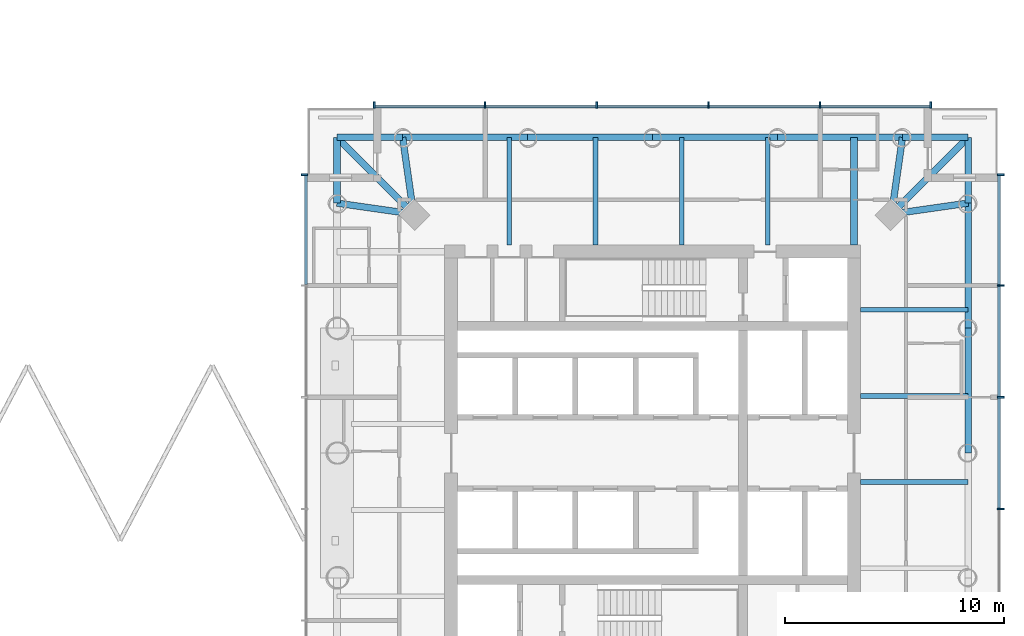
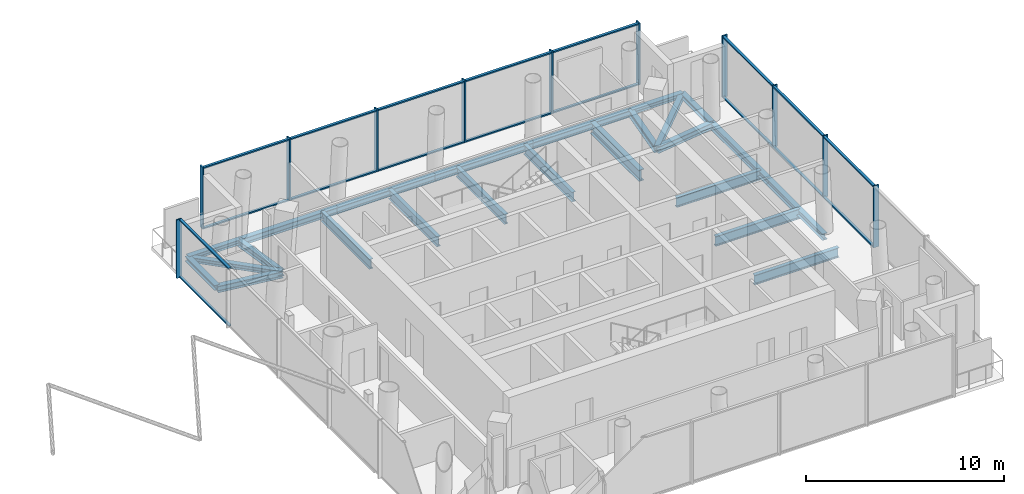
# One storey, part 6 of 19: 29 members, 24 beams, 3 elements without a shape of their own.
"""IFC4 building model written with IfcOpenShell, lengths in metres."""

from ifc_helpers import new_model, si_unit, direction, frame, origin, origin_2d, place, context, subcontext, project, spatial, rectangle, i_section, extrude, material, material_profile, profile_set, type_object, element, aggregate, save


model = new_model("IFC4")

# Units and contexts
model_context = context("Model", 3, precision=1e-05, world=origin(), true_north=direction((0.0, 1.0)))
body_context = subcontext(model_context, "Body", "Model", "MODEL_VIEW")
ifc_project = project(units=[si_unit("LENGTHUNIT", "METRE"), si_unit("AREAUNIT", "SQUARE_METRE"), si_unit("VOLUMEUNIT", "CUBIC_METRE"), si_unit("PLANEANGLEUNIT", "RADIAN"), si_unit("MASSUNIT", "GRAM", prefix="KILO")], contexts=[model_context])

# Site, building, storey
site_placement = place(None, origin())
site = spatial("IfcSite", under=ifc_project, at=site_placement, CompositionType="ELEMENT")
building_placement = place(site_placement, origin())
building = spatial("IfcBuilding", under=site, at=building_placement, Name="Ostroluk Exchange", CompositionType="ELEMENT")
storey_placement = place(building_placement, frame((0.0, 0.0, 127.39990234375)))
storey = spatial("IfcBuildingStorey", under=building, at=storey_placement, Name="L32", CompositionType="ELEMENT", Elevation=127.39990234375)

# Beams
ifc_material_1 = material(Name="Steel S355", Category="steel")
ifc_material_profile_1 = material_profile(ifc_material_1, i_section(OverallWidth=0.300048828125, OverallDepth=0.300048828125, WebThickness=0.010986328125, FlangeThickness=0.01904296875, FilletRadius=0.027099609375, at=origin_2d()), Name="HEB 300")
ifc_profile_set_1 = profile_set([ifc_material_profile_1], Name="Steel S355")
beam_type_1 = type_object("IfcBeamType", Name="Balcony beam HEB 300", PredefinedType="BEAM", material=ifc_profile_set_1)
for number, where, z_axis, x_axis, name in (
    (1, (131.413818359375, 57.413818359375, -0.349853515625), (0.0, 1.0, 0.0), (-1.0, 0.0, 0.0), "T2 east balcony beam a"),
    (2, (128.413818359375, 60.413818359375, -0.349853515625), (1.0, 0.0, 0.0), (0.0, 1.0, 0.0), "T2 east balcony beam b"),
):
    element("IfcBeam", number, at=place(storey_placement, frame(where, z_axis=z_axis, x_axis=x_axis)), inside=storey, type_object=beam_type_1, Name=name, PredefinedType="BEAM", context=body_context, shape_type="SweptSolid", body=[
        extrude(i_section(OverallWidth=0.300048828125, OverallDepth=0.300048828125, WebThickness=0.010986328125, FlangeThickness=0.01904296875, FilletRadius=0.027099609375, at=origin_2d()), origin(), (0.0, 0.0, 1.0), 3.0),
    ])
beam_1_placement = place(storey_placement, frame((127.913818359375, 56.913818359375, -0.349853515625), z_axis=(0.707106781187, 0.707106781187, 0.0), x_axis=(-0.707106781187, 0.707106781187, 0.0)))
element("IfcBeam", 3, at=beam_1_placement, inside=storey, type_object=beam_type_1, Name="T2 east balcony beam c", PredefinedType="BEAM", context=body_context, shape_type="SweptSolid", body=[
    extrude(i_section(OverallWidth=0.300048828125, OverallDepth=0.300048828125, WebThickness=0.010986328125, FlangeThickness=0.01904296875, FilletRadius=0.027099609375, at=origin_2d()), origin(), (0.0, 0.0, 1.0), 4.94970703125),
])
for number, where, z_axis, x_axis, name in (
    (4, (105.586181640625, 60.413818359375, -0.349853515625), (-1.0, 0.0, 0.0), (0.0, -1.0, 0.0), "T2 north balcony beam a"),
    (5, (102.586181640625, 57.413818359375, -0.349853515625), (0.0, 1.0, 0.0), (-1.0, 0.0, 0.0), "T2 north balcony beam b"),
):
    element("IfcBeam", number, at=place(storey_placement, frame(where, z_axis=z_axis, x_axis=x_axis)), inside=storey, type_object=beam_type_1, Name=name, PredefinedType="BEAM", context=body_context, shape_type="SweptSolid", body=[
        extrude(i_section(OverallWidth=0.300048828125, OverallDepth=0.300048828125, WebThickness=0.010986328125, FlangeThickness=0.01904296875, FilletRadius=0.027099609375, at=origin_2d()), origin(), (0.0, 0.0, 1.0), 3.0),
    ])
beam_2_placement = place(storey_placement, frame((106.086181640625, 56.913818359375, -0.349853515625), z_axis=(-0.707106781187, 0.707106781187, 0.0), x_axis=(-0.707106781187, -0.707106781187, 0.0)))
element("IfcBeam", 6, at=beam_2_placement, inside=storey, type_object=beam_type_1, Name="T2 north balcony beam c", PredefinedType="BEAM", context=body_context, shape_type="SweptSolid", body=[
    extrude(i_section(OverallWidth=0.300048828125, OverallDepth=0.300048828125, WebThickness=0.010986328125, FlangeThickness=0.01904296875, FilletRadius=0.027099609375, at=origin_2d()), origin(), (0.0, 0.0, 1.0), 4.94970703125),
])
ifc_material_2 = material(Name="Steel S355", Category="steel")
ifc_material_profile_2 = material_profile(ifc_material_2, i_section(OverallWidth=0.300048828125, OverallDepth=0.39990234375, WebThickness=0.013427734375, FlangeThickness=0.02392578125, FilletRadius=0.027099609375, at=origin_2d()), Name="HEB 400")
ifc_profile_set_2 = profile_set([ifc_material_profile_2], Name="Steel S355")
beam_type_2 = type_object("IfcBeamType", Name="Corner edge beam HEB 400", PredefinedType="SPANDREL", material=ifc_profile_set_2)
for number, where, z_axis, x_axis, name in (
    (7, (127.913818359375, 56.913818359375, -0.39990234375), (0.989949493661, 0.141421356237, 0.0), (-0.141421356237, 0.989949493661, 0.0), "T2 east corner edge beam a"),
    (8, (127.913818359375, 56.913818359375, -0.39990234375), (0.141421356237, 0.989949493661, 0.0), (-0.989949493661, 0.141421356237, 0.0), "T2 east corner edge beam b"),
    (9, (106.086181640625, 56.913818359375, -0.39990234375), (-0.141421356237, 0.989949493661, 0.0), (-0.989949493661, -0.141421356237, 0.0), "T2 north corner edge beam a"),
    (10, (106.086181640625, 56.913818359375, -0.39990234375), (-0.989949493661, 0.141421356237, 0.0), (-0.141421356237, -0.989949493661, 0.0), "T2 north corner edge beam b"),
):
    element("IfcBeam", number, at=place(storey_placement, frame(where, z_axis=z_axis, x_axis=x_axis)), inside=storey, type_object=beam_type_2, Name=name, PredefinedType="SPANDREL", context=body_context, shape_type="SweptSolid", body=[
        extrude(i_section(OverallWidth=0.300048828125, OverallDepth=0.39990234375, WebThickness=0.013427734375, FlangeThickness=0.02392578125, FilletRadius=0.027099609375, at=origin_2d()), origin(), (0.0, 0.0, 1.0), 3.53564453125),
    ])
ifc_material_3 = material(Name="Steel S355", Category="steel")
ifc_material_profile_3 = material_profile(ifc_material_3, i_section(OverallWidth=0.219970703125, OverallDepth=0.60009765625, WebThickness=0.011962890625, FlangeThickness=0.01904296875, FilletRadius=0.02392578125, at=origin_2d()), Name="IPE 600")
ifc_profile_set_3 = profile_set([ifc_material_profile_3], Name="Steel S355")
beam_type_3 = type_object("IfcBeamType", Name="Floor beam IPE 600", PredefinedType="BEAM", material=ifc_profile_set_3)
for number, where, z_axis, x_axis, name in (
    (11, (126.5, 44.671142578125, -0.5), (1.0, 0.0, 0.0), (0.0, 1.0, 0.0), "T2 east floor beam 2"),
    (12, (126.5, 48.60693359375, -0.5), (1.0, 0.0, 0.0), (0.0, 1.0, 0.0), "T2 east floor beam 3"),
    (13, (126.5, 52.54248046875, -0.5), (1.0, 0.0, 0.0), (0.0, 1.0, 0.0), "T2 east floor beam 4"),
    (14, (122.264404296875, 55.5, -0.5), (0.0, 1.0, 0.0), (-1.0, 0.0, 0.0), "T2 north floor beam 1"),
    (15, (118.328857421875, 55.5, -0.5), (0.0, 1.0, 0.0), (-1.0, 0.0, 0.0), "T2 north floor beam 2"),
    (16, (114.39306640625, 55.5, -0.5), (0.0, 1.0, 0.0), (-1.0, 0.0, 0.0), "T2 north floor beam 3"),
    (17, (110.45751953125, 55.5, -0.5), (0.0, 1.0, 0.0), (-1.0, 0.0, 0.0), "T2 north floor beam 4"),
):
    element("IfcBeam", number, at=place(storey_placement, frame(where, z_axis=z_axis, x_axis=x_axis)), inside=storey, type_object=beam_type_3, Name=name, PredefinedType="BEAM", context=body_context, shape_type="SweptSolid", body=[
        extrude(i_section(OverallWidth=0.219970703125, OverallDepth=0.60009765625, WebThickness=0.011962890625, FlangeThickness=0.01904296875, FilletRadius=0.02392578125, at=origin_2d()), origin(), (0.0, 0.0, 1.0), 4.913818359375),
    ])
ifc_material_4 = material(Name="Steel S355", Category="steel")
ifc_material_profile_4 = material_profile(ifc_material_4, i_section(OverallWidth=0.300048828125, OverallDepth=0.699951171875, WebThickness=0.01708984375, FlangeThickness=0.031982421875, FilletRadius=0.027099609375, at=origin_2d()), Name="HEB 700")
ifc_profile_set_4 = profile_set([ifc_material_profile_4], Name="Steel S355")
beam_type_4 = type_object("IfcBeamType", Name="Girder HEB 700", PredefinedType="BEAM", material=ifc_profile_set_4)
beam_3_placement = place(storey_placement, frame((126.199951171875, 55.5, -0.5498046875), z_axis=(0.0, 1.0, 0.0), x_axis=(-1.0, 0.0, 0.0)))
element("IfcBeam", 18, at=beam_3_placement, inside=storey, type_object=beam_type_4, Name="T2 east girder", PredefinedType="BEAM", context=body_context, shape_type="SweptSolid", body=[
    extrude(i_section(OverallWidth=0.300048828125, OverallDepth=0.699951171875, WebThickness=0.01708984375, FlangeThickness=0.031982421875, FilletRadius=0.027099609375, at=origin_2d()), origin(), (0.0, 0.0, 1.0), 4.913818359375),
])
ifc_material_5 = material(Name="Steel S355", Category="steel")
ifc_material_profile_5 = material_profile(ifc_material_5, i_section(OverallWidth=0.300048828125, OverallDepth=0.39990234375, WebThickness=0.013427734375, FlangeThickness=0.02392578125, FilletRadius=0.027099609375, at=origin_2d()), Name="HEB 400")
ifc_profile_set_5 = profile_set([ifc_material_profile_5], Name="Steel S355")
beam_type_5 = type_object("IfcBeamType", Name="Moment-connected edge beam HEB 400", PredefinedType="SPANDREL", material=ifc_profile_set_5)
beam_4_placement = place(storey_placement, frame((131.413818359375, 46.0, -0.39990234375), z_axis=(0.0, 1.0, 0.0), x_axis=(-1.0, 0.0, 0.0)))
element("IfcBeam", 19, at=beam_4_placement, inside=storey, type_object=beam_type_5, Name="T2 east edge beam 3", PredefinedType="SPANDREL", context=body_context, shape_type="SweptSolid", body=[
    extrude(i_section(OverallWidth=0.300048828125, OverallDepth=0.39990234375, WebThickness=0.013427734375, FlangeThickness=0.02392578125, FilletRadius=0.027099609375, at=origin_2d()), origin(), (0.0, 0.0, 1.0), 5.706787109375),
])
for number, where, z_axis, x_axis, name in (
    (20, (131.413818359375, 51.706787109375, -0.39990234375), (0.0, 1.0, 0.0), (-1.0, 0.0, 0.0), "T2 east edge beam 4"),
    (21, (128.413818359375, 60.413818359375, -0.39990234375), (-1.0, 0.0, 0.0), (0.0, -1.0, 0.0), "T2 north edge beam 1"),
):
    element("IfcBeam", number, at=place(storey_placement, frame(where, z_axis=z_axis, x_axis=x_axis)), inside=storey, type_object=beam_type_5, Name=name, PredefinedType="SPANDREL", context=body_context, shape_type="SweptSolid", body=[
        extrude(i_section(OverallWidth=0.300048828125, OverallDepth=0.39990234375, WebThickness=0.013427734375, FlangeThickness=0.02392578125, FilletRadius=0.027099609375, at=origin_2d()), origin(), (0.0, 0.0, 1.0), 5.70703125),
    ])
for number, where, z_axis, x_axis, name in (
    (22, (122.706787109375, 60.413818359375, -0.39990234375), (-1.0, 0.0, 0.0), (0.0, -1.0, 0.0), "T2 north edge beam 2"),
    (23, (117.0, 60.413818359375, -0.39990234375), (-1.0, 0.0, 0.0), (0.0, -1.0, 0.0), "T2 north edge beam 3"),
):
    element("IfcBeam", number, at=place(storey_placement, frame(where, z_axis=z_axis, x_axis=x_axis)), inside=storey, type_object=beam_type_5, Name=name, PredefinedType="SPANDREL", context=body_context, shape_type="SweptSolid", body=[
        extrude(i_section(OverallWidth=0.300048828125, OverallDepth=0.39990234375, WebThickness=0.013427734375, FlangeThickness=0.02392578125, FilletRadius=0.027099609375, at=origin_2d()), origin(), (0.0, 0.0, 1.0), 5.706787109375),
    ])
beam_5_placement = place(storey_placement, frame((111.293212890625, 60.413818359375, -0.39990234375), z_axis=(-1.0, 0.0, 0.0), x_axis=(0.0, -1.0, 0.0)))
element("IfcBeam", 24, at=beam_5_placement, inside=storey, type_object=beam_type_5, Name="T2 north edge beam 4", PredefinedType="SPANDREL", context=body_context, shape_type="SweptSolid", body=[
    extrude(i_section(OverallWidth=0.300048828125, OverallDepth=0.39990234375, WebThickness=0.013427734375, FlangeThickness=0.02392578125, FilletRadius=0.027099609375, at=origin_2d()), origin(), (0.0, 0.0, 1.0), 5.70703125),
])

# Curtain wall, members
ifc_material_6 = material(Name="Laminated clear glass", Category="glass")
curtain_wall_type = type_object("IfcCurtainWallType", Name="Hotel guest floor facade", PredefinedType="USERDEFINED", material=ifc_material_6)
curtain_wall_1_placement = place(storey_placement, origin())
curtain_wall_1 = element("IfcCurtainWall", 25, at=curtain_wall_1_placement, inside=storey, type_object=curtain_wall_type, Name="Hotel tower east facade L32", ObjectType="UNITISED CURTAIN WALL", PredefinedType="USERDEFINED")
ifc_material_7 = material(Name="Aluminium mullion", Category="aluminium")
ifc_material_profile_6 = material_profile(ifc_material_7, rectangle(XDim=0.14990234375, YDim=0.080078125, at=origin_2d()), Name="Sill transom 80 x 150")
ifc_profile_set_6 = profile_set([ifc_material_profile_6], Name="Aluminium mullion")
member_type_1 = type_object("IfcMemberType", Name="Sill transom 80 x 150", PredefinedType="USERDEFINED", material=ifc_profile_set_6)
member_1_placement = place(storey_placement, frame((132.824951171875, 43.489990234375, 0.0400390625), z_axis=(0.0, 1.0, 0.0), x_axis=(-1.0, 0.0, 0.0)))
member_1 = element("IfcMember", 26, at=member_1_placement, type_object=member_type_1, Name="CW-H1 transom 3.1", ObjectType="TRANSOM", PredefinedType="USERDEFINED", context=body_context, shape_type="SweptSolid", body=[
    extrude(rectangle(XDim=0.14990234375, YDim=0.080078125, at=origin_2d()), origin(), (0.0, 0.0, 1.0), 5.02001953125),
])
member_2_placement = place(storey_placement, frame((132.824951171875, 43.489990234375, 3.760009765625), z_axis=(0.0, 1.0, 0.0), x_axis=(-1.0, 0.0, 0.0)))
member_2 = element("IfcMember", 27, at=member_2_placement, type_object=member_type_1, Name="CW-H1 transom 3.2", ObjectType="TRANSOM", PredefinedType="USERDEFINED", context=body_context, shape_type="SweptSolid", body=[
    extrude(rectangle(XDim=0.14990234375, YDim=0.080078125, at=origin_2d()), origin(), (0.0, 0.0, 1.0), 5.02001953125),
])
member_3_placement = place(storey_placement, frame((132.824951171875, 48.590087890625, 0.0400390625), z_axis=(0.0, 1.0, 0.0), x_axis=(-1.0, 0.0, 0.0)))
member_3 = element("IfcMember", 28, at=member_3_placement, type_object=member_type_1, Name="CW-H1 transom 4.1", ObjectType="TRANSOM", PredefinedType="USERDEFINED", context=body_context, shape_type="SweptSolid", body=[
    extrude(rectangle(XDim=0.14990234375, YDim=0.080078125, at=origin_2d()), origin(), (0.0, 0.0, 1.0), 5.02001953125),
])
member_4_placement = place(storey_placement, frame((132.824951171875, 48.590087890625, 3.760009765625), z_axis=(0.0, 1.0, 0.0), x_axis=(-1.0, 0.0, 0.0)))
member_4 = element("IfcMember", 29, at=member_4_placement, type_object=member_type_1, Name="CW-H1 transom 4.2", ObjectType="TRANSOM", PredefinedType="USERDEFINED", context=body_context, shape_type="SweptSolid", body=[
    extrude(rectangle(XDim=0.14990234375, YDim=0.080078125, at=origin_2d()), origin(), (0.0, 0.0, 1.0), 5.02001953125),
])
member_5_placement = place(storey_placement, frame((132.824951171875, 53.68994140625, 0.0400390625), z_axis=(0.0, 1.0, 0.0), x_axis=(-1.0, 0.0, 0.0)))
member_5 = element("IfcMember", 30, at=member_5_placement, type_object=member_type_1, Name="CW-H1 transom 5.1", ObjectType="TRANSOM", PredefinedType="USERDEFINED", context=body_context, shape_type="SweptSolid", body=[
    extrude(rectangle(XDim=0.14990234375, YDim=0.080078125, at=origin_2d()), origin(), (0.0, 0.0, 1.0), 4.97998046875),
])
member_6_placement = place(storey_placement, frame((132.824951171875, 53.68994140625, 3.760009765625), z_axis=(0.0, 1.0, 0.0), x_axis=(-1.0, 0.0, 0.0)))
member_6 = element("IfcMember", 31, at=member_6_placement, type_object=member_type_1, Name="CW-H1 transom 5.2", ObjectType="TRANSOM", PredefinedType="USERDEFINED", context=body_context, shape_type="SweptSolid", body=[
    extrude(rectangle(XDim=0.14990234375, YDim=0.080078125, at=origin_2d()), origin(), (0.0, 0.0, 1.0), 4.97998046875),
])

curtain_wall_2_placement = place(storey_placement, origin())
curtain_wall_2 = element("IfcCurtainWall", 32, at=curtain_wall_2_placement, inside=storey, type_object=curtain_wall_type, Name="Hotel tower north facade L32", ObjectType="UNITISED CURTAIN WALL", PredefinedType="USERDEFINED")
member_7_placement = place(storey_placement, frame((129.669921875, 61.824951171875, 0.0400390625), z_axis=(-1.0, 0.0, 0.0), x_axis=(0.0, -1.0, 0.0)))
member_7 = element("IfcMember", 33, at=member_7_placement, type_object=member_type_1, Name="CW-H1 transom 1.1", ObjectType="TRANSOM", PredefinedType="USERDEFINED", context=body_context, shape_type="SweptSolid", body=[
    extrude(rectangle(XDim=0.14990234375, YDim=0.080078125, at=origin_2d()), origin(), (0.0, 0.0, 1.0), 4.97998046875),
])
member_8_placement = place(storey_placement, frame((129.669921875, 61.824951171875, 3.760009765625), z_axis=(-1.0, 0.0, 0.0), x_axis=(0.0, -1.0, 0.0)))
member_8 = element("IfcMember", 34, at=member_8_placement, type_object=member_type_1, Name="CW-H1 transom 1.2", ObjectType="TRANSOM", PredefinedType="USERDEFINED", context=body_context, shape_type="SweptSolid", body=[
    extrude(rectangle(XDim=0.14990234375, YDim=0.080078125, at=origin_2d()), origin(), (0.0, 0.0, 1.0), 4.97998046875),
])
member_9_placement = place(storey_placement, frame((124.610107421875, 61.824951171875, 0.0400390625), z_axis=(-1.0, 0.0, 0.0), x_axis=(0.0, -1.0, 0.0)))
member_9 = element("IfcMember", 35, at=member_9_placement, type_object=member_type_1, Name="CW-H1 transom 2.1", ObjectType="TRANSOM", PredefinedType="USERDEFINED", context=body_context, shape_type="SweptSolid", body=[
    extrude(rectangle(XDim=0.14990234375, YDim=0.080078125, at=origin_2d()), origin(), (0.0, 0.0, 1.0), 5.02001953125),
])
member_10_placement = place(storey_placement, frame((124.610107421875, 61.824951171875, 3.760009765625), z_axis=(-1.0, 0.0, 0.0), x_axis=(0.0, -1.0, 0.0)))
member_10 = element("IfcMember", 36, at=member_10_placement, type_object=member_type_1, Name="CW-H1 transom 2.2", ObjectType="TRANSOM", PredefinedType="USERDEFINED", context=body_context, shape_type="SweptSolid", body=[
    extrude(rectangle(XDim=0.14990234375, YDim=0.080078125, at=origin_2d()), origin(), (0.0, 0.0, 1.0), 5.02001953125),
])
member_11_placement = place(storey_placement, frame((119.510009765625, 61.824951171875, 0.0400390625), z_axis=(-1.0, 0.0, 0.0), x_axis=(0.0, -1.0, 0.0)))
member_11 = element("IfcMember", 37, at=member_11_placement, type_object=member_type_1, Name="CW-H1 transom 3.1", ObjectType="TRANSOM", PredefinedType="USERDEFINED", context=body_context, shape_type="SweptSolid", body=[
    extrude(rectangle(XDim=0.14990234375, YDim=0.080078125, at=origin_2d()), origin(), (0.0, 0.0, 1.0), 5.02001953125),
])
member_12_placement = place(storey_placement, frame((119.510009765625, 61.824951171875, 3.760009765625), z_axis=(-1.0, 0.0, 0.0), x_axis=(0.0, -1.0, 0.0)))
member_12 = element("IfcMember", 38, at=member_12_placement, type_object=member_type_1, Name="CW-H1 transom 3.2", ObjectType="TRANSOM", PredefinedType="USERDEFINED", context=body_context, shape_type="SweptSolid", body=[
    extrude(rectangle(XDim=0.14990234375, YDim=0.080078125, at=origin_2d()), origin(), (0.0, 0.0, 1.0), 5.02001953125),
])
member_13_placement = place(storey_placement, frame((114.409912109375, 61.824951171875, 0.0400390625), z_axis=(-1.0, 0.0, 0.0), x_axis=(0.0, -1.0, 0.0)))
member_13 = element("IfcMember", 39, at=member_13_placement, type_object=member_type_1, Name="CW-H1 transom 4.1", ObjectType="TRANSOM", PredefinedType="USERDEFINED", context=body_context, shape_type="SweptSolid", body=[
    extrude(rectangle(XDim=0.14990234375, YDim=0.080078125, at=origin_2d()), origin(), (0.0, 0.0, 1.0), 5.02001953125),
])
member_14_placement = place(storey_placement, frame((114.409912109375, 61.824951171875, 3.760009765625), z_axis=(-1.0, 0.0, 0.0), x_axis=(0.0, -1.0, 0.0)))
member_14 = element("IfcMember", 40, at=member_14_placement, type_object=member_type_1, Name="CW-H1 transom 4.2", ObjectType="TRANSOM", PredefinedType="USERDEFINED", context=body_context, shape_type="SweptSolid", body=[
    extrude(rectangle(XDim=0.14990234375, YDim=0.080078125, at=origin_2d()), origin(), (0.0, 0.0, 1.0), 5.02001953125),
])
member_15_placement = place(storey_placement, frame((109.31005859375, 61.824951171875, 0.0400390625), z_axis=(-1.0, 0.0, 0.0), x_axis=(0.0, -1.0, 0.0)))
member_15 = element("IfcMember", 41, at=member_15_placement, type_object=member_type_1, Name="CW-H1 transom 5.1", ObjectType="TRANSOM", PredefinedType="USERDEFINED", context=body_context, shape_type="SweptSolid", body=[
    extrude(rectangle(XDim=0.14990234375, YDim=0.080078125, at=origin_2d()), origin(), (0.0, 0.0, 1.0), 4.97998046875),
])
member_16_placement = place(storey_placement, frame((109.31005859375, 61.824951171875, 3.760009765625), z_axis=(-1.0, 0.0, 0.0), x_axis=(0.0, -1.0, 0.0)))
member_16 = element("IfcMember", 42, at=member_16_placement, type_object=member_type_1, Name="CW-H1 transom 5.2", ObjectType="TRANSOM", PredefinedType="USERDEFINED", context=body_context, shape_type="SweptSolid", body=[
    extrude(rectangle(XDim=0.14990234375, YDim=0.080078125, at=origin_2d()), origin(), (0.0, 0.0, 1.0), 4.97998046875),
])

curtain_wall_3_placement = place(storey_placement, origin())
curtain_wall_3 = element("IfcCurtainWall", 43, at=curtain_wall_3_placement, inside=storey, type_object=curtain_wall_type, Name="Hotel tower west facade L32", ObjectType="UNITISED CURTAIN WALL", PredefinedType="USERDEFINED")
member_17_placement = place(storey_placement, frame((101.175048828125, 58.669921875, 0.0400390625), z_axis=(0.0, -1.0, 0.0), x_axis=(1.0, 0.0, 0.0)))
member_17 = element("IfcMember", 44, at=member_17_placement, type_object=member_type_1, Name="CW-H1 transom 1.1", ObjectType="TRANSOM", PredefinedType="USERDEFINED", context=body_context, shape_type="SweptSolid", body=[
    extrude(rectangle(XDim=0.14990234375, YDim=0.080078125, at=origin_2d()), origin(), (0.0, 0.0, 1.0), 4.97998046875),
])
member_18_placement = place(storey_placement, frame((101.175048828125, 58.669921875, 3.56005859375), z_axis=(0.0, -1.0, 0.0), x_axis=(1.0, 0.0, 0.0)))
member_18 = element("IfcMember", 45, at=member_18_placement, type_object=member_type_1, Name="CW-H1 transom 1.2", ObjectType="TRANSOM", PredefinedType="USERDEFINED", context=body_context, shape_type="SweptSolid", body=[
    extrude(rectangle(XDim=0.14990234375, YDim=0.080078125, at=origin_2d()), origin(), (0.0, 0.0, 1.0), 4.97998046875),
])

# Member
ifc_material_8 = material(Name="Aluminium mullion with limestone facing", Category="masonry")
ifc_material_profile_7 = material_profile(ifc_material_8, rectangle(XDim=0.300048828125, YDim=0.080078125, at=origin_2d()), Name="Tracery mullion 80 x 300")
ifc_profile_set_7 = profile_set([ifc_material_profile_7], Name="Aluminium mullion with limestone facing")
member_type_2 = type_object("IfcMemberType", Name="Tracery mullion 80 x 300", PredefinedType="MULLION", material=ifc_profile_set_7)
member_19_placement = place(storey_placement, frame((132.89990234375, 43.449951171875, 0.0), z_axis=(0.0, 0.0, 1.0), x_axis=(-1.0, 0.0, 0.0)))
member_19 = element("IfcMember", 46, at=member_19_placement, type_object=member_type_2, Name="CW-H1 mullion 3", PredefinedType="MULLION", context=body_context, shape_type="SweptSolid", body=[
    extrude(rectangle(XDim=0.300048828125, YDim=0.080078125, at=origin_2d()), origin(), (0.0, 0.0, 1.0), 3.800048828125),
])

member_20_placement = place(storey_placement, frame((132.89990234375, 48.550048828125, 0.0), z_axis=(0.0, 0.0, 1.0), x_axis=(-1.0, 0.0, 0.0)))
member_20 = element("IfcMember", 47, at=member_20_placement, type_object=member_type_2, Name="CW-H1 mullion 4", PredefinedType="MULLION", context=body_context, shape_type="SweptSolid", body=[
    extrude(rectangle(XDim=0.300048828125, YDim=0.080078125, at=origin_2d()), origin(), (0.0, 0.0, 1.0), 3.800048828125),
])

member_21_placement = place(storey_placement, frame((132.89990234375, 53.64990234375, 0.0), z_axis=(0.0, 0.0, 1.0), x_axis=(-1.0, 0.0, 0.0)))
member_21 = element("IfcMember", 48, at=member_21_placement, type_object=member_type_2, Name="CW-H1 mullion 5", PredefinedType="MULLION", context=body_context, shape_type="SweptSolid", body=[
    extrude(rectangle(XDim=0.300048828125, YDim=0.080078125, at=origin_2d()), origin(), (0.0, 0.0, 1.0), 3.800048828125),
])

member_22_placement = place(storey_placement, frame((132.89990234375, 58.7099609375, 0.0), z_axis=(0.0, 0.0, 1.0), x_axis=(-1.0, 0.0, 0.0)))
member_22 = element("IfcMember", 49, at=member_22_placement, type_object=member_type_2, Name="CW-H1 mullion 6", PredefinedType="MULLION", context=body_context, shape_type="SweptSolid", body=[
    extrude(rectangle(XDim=0.300048828125, YDim=0.080078125, at=origin_2d()), origin(), (0.0, 0.0, 1.0), 3.800048828125),
])

aggregate(curtain_wall_1, [member_19, member_20, member_21, member_22, member_1, member_2, member_3, member_4, member_5, member_6])

member_23_placement = place(storey_placement, frame((129.7099609375, 61.89990234375, 0.0), z_axis=(0.0, 0.0, 1.0), x_axis=(0.0, -1.0, 0.0)))
member_23 = element("IfcMember", 50, at=member_23_placement, type_object=member_type_2, Name="CW-H1 mullion 1", PredefinedType="MULLION", context=body_context, shape_type="SweptSolid", body=[
    extrude(rectangle(XDim=0.300048828125, YDim=0.080078125, at=origin_2d()), origin(), (0.0, 0.0, 1.0), 3.800048828125),
])

member_24_placement = place(storey_placement, frame((124.64990234375, 61.89990234375, 0.0), z_axis=(0.0, 0.0, 1.0), x_axis=(0.0, -1.0, 0.0)))
member_24 = element("IfcMember", 51, at=member_24_placement, type_object=member_type_2, Name="CW-H1 mullion 2", PredefinedType="MULLION", context=body_context, shape_type="SweptSolid", body=[
    extrude(rectangle(XDim=0.300048828125, YDim=0.080078125, at=origin_2d()), origin(), (0.0, 0.0, 1.0), 3.800048828125),
])

member_25_placement = place(storey_placement, frame((119.550048828125, 61.89990234375, 0.0), z_axis=(0.0, 0.0, 1.0), x_axis=(0.0, -1.0, 0.0)))
member_25 = element("IfcMember", 52, at=member_25_placement, type_object=member_type_2, Name="CW-H1 mullion 3", PredefinedType="MULLION", context=body_context, shape_type="SweptSolid", body=[
    extrude(rectangle(XDim=0.300048828125, YDim=0.080078125, at=origin_2d()), origin(), (0.0, 0.0, 1.0), 3.800048828125),
])

member_26_placement = place(storey_placement, frame((114.449951171875, 61.89990234375, 0.0), z_axis=(0.0, 0.0, 1.0), x_axis=(0.0, -1.0, 0.0)))
member_26 = element("IfcMember", 53, at=member_26_placement, type_object=member_type_2, Name="CW-H1 mullion 4", PredefinedType="MULLION", context=body_context, shape_type="SweptSolid", body=[
    extrude(rectangle(XDim=0.300048828125, YDim=0.080078125, at=origin_2d()), origin(), (0.0, 0.0, 1.0), 3.800048828125),
])

member_27_placement = place(storey_placement, frame((109.35009765625, 61.89990234375, 0.0), z_axis=(0.0, 0.0, 1.0), x_axis=(0.0, -1.0, 0.0)))
member_27 = element("IfcMember", 54, at=member_27_placement, type_object=member_type_2, Name="CW-H1 mullion 5", PredefinedType="MULLION", context=body_context, shape_type="SweptSolid", body=[
    extrude(rectangle(XDim=0.300048828125, YDim=0.080078125, at=origin_2d()), origin(), (0.0, 0.0, 1.0), 3.800048828125),
])

member_28_placement = place(storey_placement, frame((104.2900390625, 61.89990234375, 0.0), z_axis=(0.0, 0.0, 1.0), x_axis=(0.0, -1.0, 0.0)))
member_28 = element("IfcMember", 55, at=member_28_placement, type_object=member_type_2, Name="CW-H1 mullion 6", PredefinedType="MULLION", context=body_context, shape_type="SweptSolid", body=[
    extrude(rectangle(XDim=0.300048828125, YDim=0.080078125, at=origin_2d()), origin(), (0.0, 0.0, 1.0), 3.800048828125),
])

aggregate(curtain_wall_2, [member_23, member_24, member_25, member_26, member_27, member_28, member_7, member_8, member_9, member_10, member_11, member_12, member_13, member_14, member_15, member_16])

member_29_placement = place(storey_placement, frame((101.10009765625, 58.7099609375, 0.0), z_axis=(0.0, 0.0, 1.0), x_axis=(1.0, 0.0, 0.0)))
member_29 = element("IfcMember", 56, at=member_29_placement, type_object=member_type_2, Name="CW-H1 mullion 1", PredefinedType="MULLION", context=body_context, shape_type="SweptSolid", body=[
    extrude(rectangle(XDim=0.300048828125, YDim=0.080078125, at=origin_2d()), origin(), (0.0, 0.0, 1.0), 3.60009765625),
])

aggregate(curtain_wall_3, [member_29, member_17, member_18])

save(model, "model.ifc")
